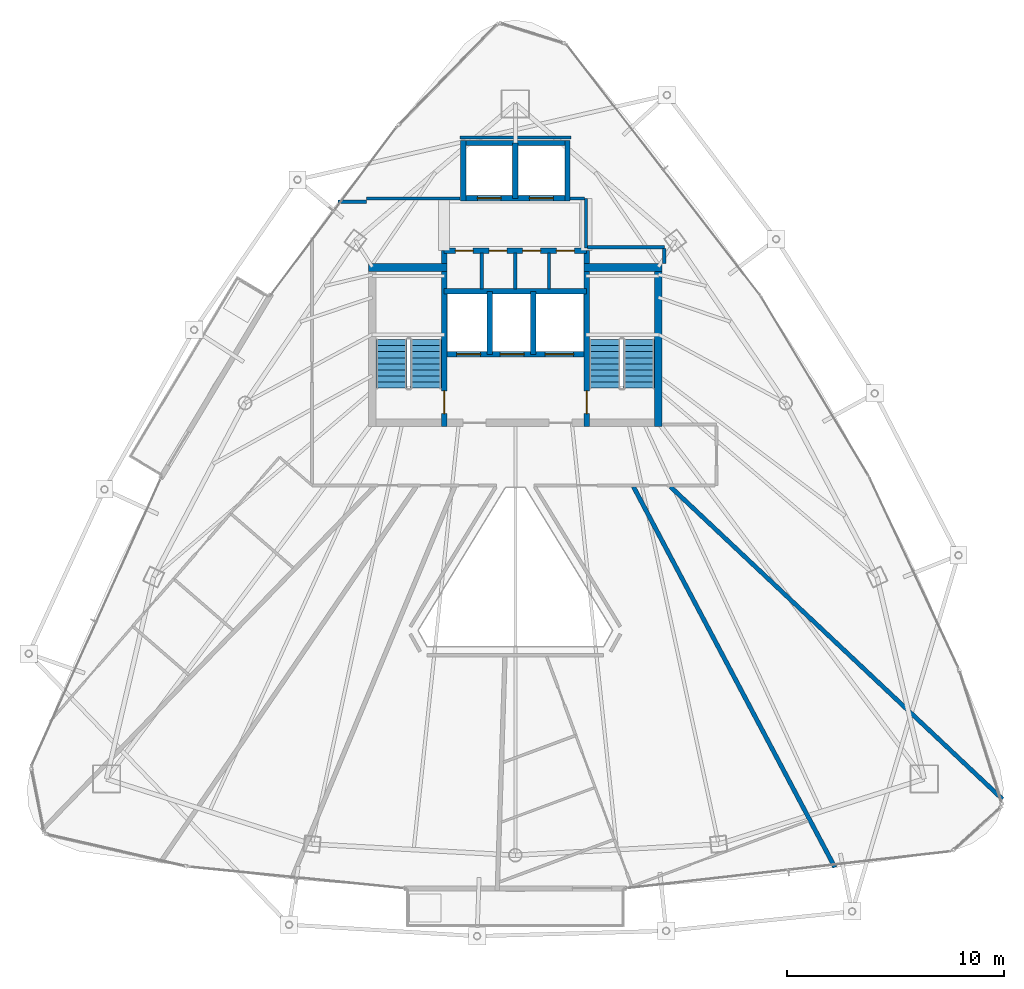
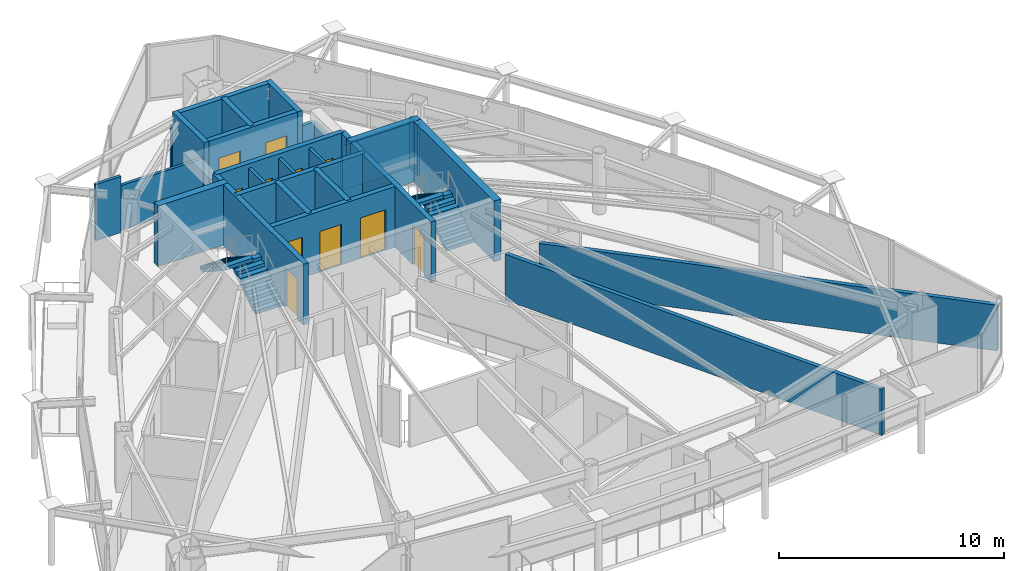
# One storey, part 27 of 29: 27 walls, 11 doors, 4 stair flights, 11 openings, 2 elements without a shape of their own.
"""IFC4 building model written with IfcOpenShell, lengths in metres."""

from ifc_helpers import new_model, si_unit, direction, frame, frame_2d, origin, place, context, subcontext, project, spatial, polyline, rectangle, outline, extrude, material, layer, layer_set, type_object, element, fill, aggregate, save


model = new_model("IFC4")

# Units and contexts
model_context = context("Model", 3, precision=1e-05, world=origin(), true_north=direction((0.0, 1.0)))
body_context = subcontext(model_context, "Body", "Model", "MODEL_VIEW")
ifc_project = project(units=[si_unit("LENGTHUNIT", "METRE"), si_unit("AREAUNIT", "SQUARE_METRE"), si_unit("VOLUMEUNIT", "CUBIC_METRE"), si_unit("PLANEANGLEUNIT", "RADIAN"), si_unit("MASSUNIT", "GRAM", prefix="KILO")], contexts=[model_context])

# Site, building, storey
site_placement = place(None, origin())
site = spatial("IfcSite", under=ifc_project, at=site_placement, CompositionType="ELEMENT")
building_placement = place(site_placement, origin())
building = spatial("IfcBuilding", under=site, at=building_placement, Name="Orvanel Arch Residences", CompositionType="ELEMENT")
storey_placement = place(building_placement, frame((0.0, 0.0, 246.949951171875)))
storey = spatial("IfcBuildingStorey", under=building, at=storey_placement, Name="L70", CompositionType="ELEMENT", Elevation=246.949951171875)

# Wall, opening, door
ifc_material_1 = material(Name="Concrete N50 (50 MPa)", Category="concrete")
ifc_layer_1 = layer(ifc_material_1, 0.25)
ifc_layer_set_1 = layer_set([ifc_layer_1], Name="Concrete N50 (50 MPa)")
wall_type_1 = type_object("IfcWallType", Name="SW-CORE-250", PredefinedType="SHEAR", material=ifc_layer_set_1)
wall_1_placement = place(storey_placement, frame((29.72509765625, 26.550048828125, 0.0), z_axis=(0.0, 0.0, 1.0), x_axis=(0.0, 1.0, 0.0)))
wall_1 = element("IfcWall", 1, at=wall_1_placement, inside=storey, type_object=wall_type_1, Name="L70 West Inner Core Spine Shear Wall", PredefinedType="SHEAR", context=body_context, shape_type="SweptSolid", body=[
    extrude(rectangle(XDim=8.099853515625, YDim=0.25, at=frame_2d((4.0498046875, 0.0))), origin(), (0.0, 0.0, 1.0), 3.300048828125),
])
opening_1_placement = place(wall_1_placement, frame((0.60009765625, 0.0, 0.0)))
opening_1 = element("IfcOpeningElement", 2, at=opening_1_placement, cuts=wall_1, Name="Opening DF-120", PredefinedType="OPENING", context=body_context, shape_type="SweptSolid", body=[
    extrude(rectangle(XDim=1.050048828125, YDim=2.14990234375, at=frame_2d((0.52490234375, 1.074951171875))), frame((0.0, 0.135009765625, 0.0), z_axis=(0.0, -1.0, 0.0), x_axis=(1.0, 0.0, 0.0)), (0.0, 0.0, 1.0), 0.27001953125),
])
ifc_material_2 = material(Name="Galvanised steel fire-resisting door assembly", Category="steel")
door_type_1 = type_object("IfcDoorType", Name="DR-FD120-1050", OperationType="NOTDEFINED", PredefinedType="DOOR", material=ifc_material_2)
door_1_placement = place(opening_1_placement, origin())
door_1 = element("IfcDoor", 3, at=door_1_placement, inside=storey, type_object=door_type_1, Name="DR-L70-ST1 L70 Stair 1 Fire Door", OperationType="SINGLE_SWING_LEFT", OverallHeight=2.14990234375, OverallWidth=1.050048828125, PredefinedType="DOOR", context=body_context, shape_type="SweptSolid", body=[
    extrude(rectangle(XDim=1.050048828125, YDim=2.14990234375, at=frame_2d((0.52490234375, 1.074951171875))), frame((0.0, 0.02490234375, 0.0), z_axis=(0.0, -1.0, 0.0), x_axis=(1.0, 0.0, 0.0)), (0.0, 0.0, 1.0), 0.050048828125),
])
fill(opening_1, door_1)

wall_2_placement = place(storey_placement, frame((36.27490234375, 26.550048828125, 0.0), z_axis=(0.0, 0.0, 1.0), x_axis=(0.0, 1.0, 0.0)))
wall_2 = element("IfcWall", 4, at=wall_2_placement, inside=storey, type_object=wall_type_1, Name="L70 East Inner Core Spine Shear Wall", PredefinedType="SHEAR", context=body_context, shape_type="SweptSolid", body=[
    extrude(rectangle(XDim=8.099853515625, YDim=0.25, at=frame_2d((4.0498046875, 0.0))), origin(), (0.0, 0.0, 1.0), 3.300048828125),
])
opening_2_placement = place(wall_2_placement, frame((0.60009765625, 0.0, 0.0)))
opening_2 = element("IfcOpeningElement", 5, at=opening_2_placement, cuts=wall_2, Name="Opening DF-120", PredefinedType="OPENING", context=body_context, shape_type="SweptSolid", body=[
    extrude(rectangle(XDim=1.050048828125, YDim=2.14990234375, at=frame_2d((0.52490234375, 1.074951171875))), frame((0.0, 0.135009765625, 0.0), z_axis=(0.0, -1.0, 0.0), x_axis=(1.0, 0.0, 0.0)), (0.0, 0.0, 1.0), 0.27001953125),
])
door_2_placement = place(opening_2_placement, origin())
door_2 = element("IfcDoor", 6, at=door_2_placement, inside=storey, type_object=door_type_1, Name="DR-L70-ST2 L70 Stair 2 Fire Door", OperationType="SINGLE_SWING_RIGHT", OverallHeight=2.14990234375, OverallWidth=1.050048828125, PredefinedType="DOOR", context=body_context, shape_type="SweptSolid", body=[
    extrude(rectangle(XDim=1.050048828125, YDim=2.14990234375, at=frame_2d((0.52490234375, 1.074951171875))), frame((0.0, 0.02490234375, 0.0), z_axis=(0.0, -1.0, 0.0), x_axis=(1.0, 0.0, 0.0)), (0.0, 0.0, 1.0), 0.050048828125),
])
fill(opening_2, door_2)

# Wall, openings, doors
wall_3_placement = place(storey_placement, frame((36.27490234375, 29.875, 0.0), z_axis=(0.0, 0.0, 1.0), x_axis=(-1.0, 0.0, 0.0)))
wall_3 = element("IfcWall", 7, at=wall_3_placement, inside=storey, type_object=wall_type_1, Name="L70 Emergency Lift Front Core Shear Wall", PredefinedType="SHEAR", context=body_context, shape_type="SweptSolid", body=[
    extrude(rectangle(XDim=6.5498046875, YDim=0.25, at=frame_2d((3.27490234375, 0.0))), origin(), (0.0, 0.0, 1.0), 3.300048828125),
])
opening_3_placement = place(wall_3_placement, frame((4.875, 0.0, 0.0)))
opening_3 = element("IfcOpeningElement", 8, at=opening_3_placement, cuts=wall_3, Name="Opening LD-110", PredefinedType="OPENING", context=body_context, shape_type="SweptSolid", body=[
    extrude(rectangle(XDim=1.10009765625, YDim=2.199951171875, at=frame_2d((0.550048828125, 1.10009765625))), frame((0.0, 0.135009765625, 0.0), z_axis=(0.0, -1.0, 0.0), x_axis=(1.0, 0.0, 0.0)), (0.0, 0.0, 1.0), 0.27001953125),
])
opening_4_placement = place(wall_3_placement, frame((2.875, 0.0, 0.0)))
opening_4 = element("IfcOpeningElement", 9, at=opening_4_placement, cuts=wall_3, Name="Opening LD-110", PredefinedType="OPENING", context=body_context, shape_type="SweptSolid", body=[
    extrude(rectangle(XDim=1.10009765625, YDim=2.199951171875, at=frame_2d((0.550048828125, 1.10009765625))), frame((0.0, 0.135009765625, 0.0), z_axis=(0.0, -1.0, 0.0), x_axis=(1.0, 0.0, 0.0)), (0.0, 0.0, 1.0), 0.27001953125),
])
opening_5_placement = place(wall_3_placement, frame((0.60009765625, 0.0, 0.0)))
opening_5 = element("IfcOpeningElement", 10, at=opening_5_placement, cuts=wall_3, Name="Opening LD-130", PredefinedType="OPENING", context=body_context, shape_type="SweptSolid", body=[
    extrude(rectangle(XDim=1.300048828125, YDim=2.199951171875, at=frame_2d((0.64990234375, 1.10009765625))), frame((0.0, 0.135009765625, 0.0), z_axis=(0.0, -1.0, 0.0), x_axis=(1.0, 0.0, 0.0)), (0.0, 0.0, 1.0), 0.27001953125),
])
door_type_2 = type_object("IfcDoorType", Name="DR-LFT-1100", OperationType="NOTDEFINED", PredefinedType="DOOR", material=ifc_material_2)
door_3_placement = place(opening_3_placement, origin())
door_3 = element("IfcDoor", 11, at=door_3_placement, inside=storey, type_object=door_type_2, Name="LD-F1-L70 L70 Lift F1 Sliding Landing Door", OperationType="DOUBLE_DOOR_SLIDING", OverallHeight=2.199951171875, OverallWidth=1.10009765625, PredefinedType="DOOR", context=body_context, shape_type="SweptSolid", body=[
    extrude(rectangle(XDim=1.10009765625, YDim=2.199951171875, at=frame_2d((0.550048828125, 1.10009765625))), frame((0.0, 0.02490234375, 0.0), z_axis=(0.0, -1.0, 0.0), x_axis=(1.0, 0.0, 0.0)), (0.0, 0.0, 1.0), 0.050048828125),
])
fill(opening_3, door_3)
door_4_placement = place(opening_4_placement, origin())
door_4 = element("IfcDoor", 12, at=door_4_placement, inside=storey, type_object=door_type_2, Name="LD-F2-L70 L70 Lift F2 Sliding Landing Door", OperationType="DOUBLE_DOOR_SLIDING", OverallHeight=2.199951171875, OverallWidth=1.10009765625, PredefinedType="DOOR", context=body_context, shape_type="SweptSolid", body=[
    extrude(rectangle(XDim=1.10009765625, YDim=2.199951171875, at=frame_2d((0.550048828125, 1.10009765625))), frame((0.0, 0.02490234375, 0.0), z_axis=(0.0, -1.0, 0.0), x_axis=(1.0, 0.0, 0.0)), (0.0, 0.0, 1.0), 0.050048828125),
])
fill(opening_4, door_4)
door_type_3 = type_object("IfcDoorType", Name="DR-LFT-1300", OperationType="NOTDEFINED", PredefinedType="DOOR", material=ifc_material_2)
door_5_placement = place(opening_5_placement, origin())
door_5 = element("IfcDoor", 13, at=door_5_placement, inside=storey, type_object=door_type_3, Name="LD-G1-L70 L70 Lift G1 Sliding Landing Door", OperationType="DOUBLE_DOOR_SLIDING", OverallHeight=2.199951171875, OverallWidth=1.300048828125, PredefinedType="DOOR", context=body_context, shape_type="SweptSolid", body=[
    extrude(rectangle(XDim=1.300048828125, YDim=2.199951171875, at=frame_2d((0.64990234375, 1.10009765625))), frame((0.0, 0.02490234375, 0.0), z_axis=(0.0, -1.0, 0.0), x_axis=(1.0, 0.0, 0.0)), (0.0, 0.0, 1.0), 0.050048828125),
])
fill(opening_5, door_5)

# Walls
wall_4_placement = place(storey_placement, frame((29.72509765625, 32.77490234375, 0.0), z_axis=(0.0, 0.0, 1.0), x_axis=(1.0, 0.0, 0.0)))
element("IfcWall", 14, at=wall_4_placement, inside=storey, type_object=wall_type_1, Name="L70 Emergency Lift Back Core Shear Wall", PredefinedType="SHEAR", context=body_context, shape_type="SweptSolid", body=[
    extrude(rectangle(XDim=6.5498046875, YDim=0.25, at=frame_2d((3.27490234375, 0.0))), origin(), (0.0, 0.0, 1.0), 3.300048828125),
])
for number, where, z_axis, x_axis, name in (
    (15, (31.824951171875, 29.875, 0.0), (0.0, 0.0, 1.0), (0.0, 1.0, 0.0), "L70 Emergency Lift Inter-Shaft Wall F12"),
    (16, (33.824951171875, 29.875, 0.0), (0.0, 0.0, 1.0), (0.0, 1.0, 0.0), "L70 Emergency Lift Inter-Shaft Wall F2G"),
):
    element("IfcWall", number, at=place(storey_placement, frame(where, z_axis=z_axis, x_axis=x_axis)), inside=storey, type_object=wall_type_1, Name=name, PredefinedType="SHEAR", context=body_context, shape_type="SweptSolid", body=[
        extrude(rectangle(XDim=2.89990234375, YDim=0.25, at=frame_2d((1.449951171875, 0.0))), origin(), (0.0, 0.0, 1.0), 3.300048828125),
    ])

# Wall, openings, doors
wall_5_placement = place(storey_placement, frame((29.72509765625, 34.64990234375, 0.0), z_axis=(0.0, 0.0, 1.0), x_axis=(1.0, 0.0, 0.0)))
wall_5 = element("IfcWall", 17, at=wall_5_placement, inside=storey, type_object=wall_type_1, Name="L70 Core Service Band North Shear Wall", PredefinedType="SHEAR", context=body_context, shape_type="SweptSolid", body=[
    extrude(rectangle(XDim=6.5498046875, YDim=0.25, at=frame_2d((3.27490234375, 0.0))), origin(), (0.0, 0.0, 1.0), 3.300048828125),
])
opening_6_placement = place(wall_5_placement, frame((0.514892578125, 0.0, 0.0)))
opening_6 = element("IfcOpeningElement", 18, at=opening_6_placement, cuts=wall_5, Name="Opening DS-082", PredefinedType="OPENING", context=body_context, shape_type="SweptSolid", body=[
    extrude(rectangle(XDim=0.820068359375, YDim=2.10009765625, at=frame_2d((0.41015625, 1.050048828125))), frame((0.0, 0.135009765625, 0.0), z_axis=(0.0, -1.0, 0.0), x_axis=(1.0, 0.0, 0.0)), (0.0, 0.0, 1.0), 0.27001953125),
])
opening_7_placement = place(wall_5_placement, frame((2.06494140625, 0.0, 0.0)))
opening_7 = element("IfcOpeningElement", 19, at=opening_7_placement, cuts=wall_5, Name="Opening DS-082", PredefinedType="OPENING", context=body_context, shape_type="SweptSolid", body=[
    extrude(rectangle(XDim=0.820068359375, YDim=2.10009765625, at=frame_2d((0.41015625, 1.050048828125))), frame((0.0, 0.135009765625, 0.0), z_axis=(0.0, -1.0, 0.0), x_axis=(1.0, 0.0, 0.0)), (0.0, 0.0, 1.0), 0.27001953125),
])
opening_8_placement = place(wall_5_placement, frame((3.614990234375, 0.0, 0.0)))
opening_8 = element("IfcOpeningElement", 20, at=opening_8_placement, cuts=wall_5, Name="Opening DS-082", PredefinedType="OPENING", context=body_context, shape_type="SweptSolid", body=[
    extrude(rectangle(XDim=0.820068359375, YDim=2.10009765625, at=frame_2d((0.41015625, 1.050048828125))), frame((0.0, 0.135009765625, 0.0), z_axis=(0.0, -1.0, 0.0), x_axis=(1.0, 0.0, 0.0)), (0.0, 0.0, 1.0), 0.27001953125),
])
opening_9_placement = place(wall_5_placement, frame((5.1650390625, 0.0, 0.0)))
opening_9 = element("IfcOpeningElement", 21, at=opening_9_placement, cuts=wall_5, Name="Opening DS-082", PredefinedType="OPENING", context=body_context, shape_type="SweptSolid", body=[
    extrude(rectangle(XDim=0.820068359375, YDim=2.10009765625, at=frame_2d((0.41015625, 1.050048828125))), frame((0.0, 0.135009765625, 0.0), z_axis=(0.0, -1.0, 0.0), x_axis=(1.0, 0.0, 0.0)), (0.0, 0.0, 1.0), 0.27001953125),
])
door_type_4 = type_object("IfcDoorType", Name="DR-SVC-820", OperationType="NOTDEFINED", PredefinedType="DOOR", material=ifc_material_2)
door_6_placement = place(opening_6_placement, origin())
door_6 = element("IfcDoor", 22, at=door_6_placement, inside=storey, type_object=door_type_4, Name="DR-L70-CSVC-1 L70 Linen Store Door", OperationType="SINGLE_SWING_LEFT", OverallHeight=2.10009765625, OverallWidth=0.820068359375, PredefinedType="DOOR", context=body_context, shape_type="SweptSolid", body=[
    extrude(rectangle(XDim=0.820068359375, YDim=2.10009765625, at=frame_2d((0.41015625, 1.050048828125))), frame((0.0, 0.02490234375, 0.0), z_axis=(0.0, -1.0, 0.0), x_axis=(1.0, 0.0, 0.0)), (0.0, 0.0, 1.0), 0.050048828125),
])
fill(opening_6, door_6)
door_7_placement = place(opening_7_placement, origin())
door_7 = element("IfcDoor", 23, at=door_7_placement, inside=storey, type_object=door_type_4, Name="DR-L70-CSVC-2 L70 Cleaner's Store Door", OperationType="SINGLE_SWING_LEFT", OverallHeight=2.10009765625, OverallWidth=0.820068359375, PredefinedType="DOOR", context=body_context, shape_type="SweptSolid", body=[
    extrude(rectangle(XDim=0.820068359375, YDim=2.10009765625, at=frame_2d((0.41015625, 1.050048828125))), frame((0.0, 0.02490234375, 0.0), z_axis=(0.0, -1.0, 0.0), x_axis=(1.0, 0.0, 0.0)), (0.0, 0.0, 1.0), 0.050048828125),
])
fill(opening_7, door_7)
door_8_placement = place(opening_8_placement, origin())
door_8 = element("IfcDoor", 24, at=door_8_placement, inside=storey, type_object=door_type_4, Name="DR-L70-CSVC-3 L70 Electrical Meter Store Door", OperationType="SINGLE_SWING_LEFT", OverallHeight=2.10009765625, OverallWidth=0.820068359375, PredefinedType="DOOR", context=body_context, shape_type="SweptSolid", body=[
    extrude(rectangle(XDim=0.820068359375, YDim=2.10009765625, at=frame_2d((0.41015625, 1.050048828125))), frame((0.0, 0.02490234375, 0.0), z_axis=(0.0, -1.0, 0.0), x_axis=(1.0, 0.0, 0.0)), (0.0, 0.0, 1.0), 0.050048828125),
])
fill(opening_8, door_8)
door_9_placement = place(opening_9_placement, origin())
door_9 = element("IfcDoor", 25, at=door_9_placement, inside=storey, type_object=door_type_4, Name="DR-L70-CSVC-4 L70 Housekeeping Supply Store Door", OperationType="SINGLE_SWING_LEFT", OverallHeight=2.10009765625, OverallWidth=0.820068359375, PredefinedType="DOOR", context=body_context, shape_type="SweptSolid", body=[
    extrude(rectangle(XDim=0.820068359375, YDim=2.10009765625, at=frame_2d((0.41015625, 1.050048828125))), frame((0.0, 0.02490234375, 0.0), z_axis=(0.0, -1.0, 0.0), x_axis=(1.0, 0.0, 0.0)), (0.0, 0.0, 1.0), 0.050048828125),
])
fill(opening_9, door_9)

wall_6_placement = place(storey_placement, frame((35.52490234375, 37.050048828125, 0.0), z_axis=(0.0, 0.0, 1.0), x_axis=(-1.0, 0.0, 0.0)))
wall_6 = element("IfcWall", 26, at=wall_6_placement, inside=storey, type_object=wall_type_1, Name="L70 Passenger Lift Bank Front Shear Wall", PredefinedType="SHEAR", context=body_context, shape_type="SweptSolid", body=[
    extrude(rectangle(XDim=5.0498046875, YDim=0.25, at=frame_2d((2.52490234375, 0.0))), origin(), (0.0, 0.0, 1.0), 3.300048828125),
])
opening_10_placement = place(wall_6_placement, frame((3.175048828125, 0.0, 0.0)))
opening_10 = element("IfcOpeningElement", 27, at=opening_10_placement, cuts=wall_6, Name="Opening LD-110", PredefinedType="OPENING", context=body_context, shape_type="SweptSolid", body=[
    extrude(rectangle(XDim=1.10009765625, YDim=2.199951171875, at=frame_2d((0.550048828125, 1.10009765625))), frame((0.0, 0.135009765625, 0.0), z_axis=(0.0, -1.0, 0.0), x_axis=(1.0, 0.0, 0.0)), (0.0, 0.0, 1.0), 0.27001953125),
])
opening_11_placement = place(wall_6_placement, frame((0.77490234375, 0.0, 0.0)))
opening_11 = element("IfcOpeningElement", 28, at=opening_11_placement, cuts=wall_6, Name="Opening LD-110", PredefinedType="OPENING", context=body_context, shape_type="SweptSolid", body=[
    extrude(rectangle(XDim=1.10009765625, YDim=2.199951171875, at=frame_2d((0.550048828125, 1.10009765625))), frame((0.0, 0.135009765625, 0.0), z_axis=(0.0, -1.0, 0.0), x_axis=(1.0, 0.0, 0.0)), (0.0, 0.0, 1.0), 0.27001953125),
])
door_10_placement = place(opening_10_placement, origin())
door_10 = element("IfcDoor", 29, at=door_10_placement, inside=storey, type_object=door_type_2, Name="LD-P5-L70 L70 Passenger Lift P5 Sliding Landing Door", OperationType="DOUBLE_DOOR_SLIDING", OverallHeight=2.199951171875, OverallWidth=1.10009765625, PredefinedType="DOOR", context=body_context, shape_type="SweptSolid", body=[
    extrude(rectangle(XDim=1.10009765625, YDim=2.199951171875, at=frame_2d((0.550048828125, 1.10009765625))), frame((0.0, 0.02490234375, 0.0), z_axis=(0.0, -1.0, 0.0), x_axis=(1.0, 0.0, 0.0)), (0.0, 0.0, 1.0), 0.050048828125),
])
fill(opening_10, door_10)
door_11_placement = place(opening_11_placement, origin())
door_11 = element("IfcDoor", 30, at=door_11_placement, inside=storey, type_object=door_type_2, Name="LD-P6-L70 L70 Passenger Lift P6 Sliding Landing Door", OperationType="DOUBLE_DOOR_SLIDING", OverallHeight=2.199951171875, OverallWidth=1.10009765625, PredefinedType="DOOR", context=body_context, shape_type="SweptSolid", body=[
    extrude(rectangle(XDim=1.10009765625, YDim=2.199951171875, at=frame_2d((0.550048828125, 1.10009765625))), frame((0.0, 0.02490234375, 0.0), z_axis=(0.0, -1.0, 0.0), x_axis=(1.0, 0.0, 0.0)), (0.0, 0.0, 1.0), 0.050048828125),
])
fill(opening_11, door_11)

# Walls
wall_7_placement = place(storey_placement, frame((30.47509765625, 39.60009765625, 0.0), z_axis=(0.0, 0.0, 1.0), x_axis=(1.0, 0.0, 0.0)))
element("IfcWall", 31, at=wall_7_placement, inside=storey, type_object=wall_type_1, Name="L70 Passenger Lift Bank North Shear Wall", PredefinedType="SHEAR", context=body_context, shape_type="SweptSolid", body=[
    extrude(rectangle(XDim=5.0498046875, YDim=0.25, at=frame_2d((2.52490234375, 0.0))), origin(), (0.0, 0.0, 1.0), 3.300048828125),
])
for number, where, z_axis, x_axis, name in (
    (32, (30.60009765625, 36.925048828125, 0.0), (0.0, 0.0, 1.0), (0.0, 1.0, 0.0), "L70 Passenger Lift Bank West Shear Wall"),
    (33, (35.39990234375, 36.925048828125, 0.0), (0.0, 0.0, 1.0), (0.0, 1.0, 0.0), "L70 Passenger Lift Bank East Shear Wall"),
):
    element("IfcWall", number, at=place(storey_placement, frame(where, z_axis=z_axis, x_axis=x_axis)), inside=storey, type_object=wall_type_1, Name=name, PredefinedType="SHEAR", context=body_context, shape_type="SweptSolid", body=[
        extrude(rectangle(XDim=2.800048828125, YDim=0.25, at=frame_2d((1.39990234375, 0.0))), origin(), (0.0, 0.0, 1.0), 3.300048828125),
    ])
wall_8_placement = place(storey_placement, frame((33.0, 37.050048828125, 0.0), z_axis=(0.0, 0.0, 1.0), x_axis=(0.0, 1.0, 0.0)))
element("IfcWall", 34, at=wall_8_placement, inside=storey, type_object=wall_type_1, Name="L70 Passenger Lift Inter-Shaft Wall P56", PredefinedType="SHEAR", context=body_context, shape_type="SweptSolid", body=[
    extrude(rectangle(XDim=2.550048828125, YDim=0.25, at=frame_2d((1.27490234375, 0.0))), origin(), (0.0, 0.0, 1.0), 3.300048828125),
])
ifc_layer_2 = layer(ifc_material_1, 0.35009765625)
ifc_layer_set_2 = layer_set([ifc_layer_2], Name="Concrete N50 (50 MPa)")
wall_type_2 = type_object("IfcWallType", Name="SW-CORE-350", PredefinedType="SHEAR", material=ifc_layer_set_2)
wall_9_placement = place(storey_placement, frame((26.25, 33.875, 0.0), z_axis=(0.0, 0.0, 1.0), x_axis=(1.0, 0.0, 0.0)))
element("IfcWall", 35, at=wall_9_placement, inside=storey, type_object=wall_type_2, Name="L70 West Stair North Shear Wall", PredefinedType="SHEAR", context=body_context, shape_type="SweptSolid", body=[
    extrude(rectangle(XDim=3.60009765625, YDim=0.35009765625, at=frame_2d((1.800048828125, 0.0))), origin(), (0.0, 0.0, 1.0), 3.300048828125),
])
wall_10_placement = place(storey_placement, frame((39.574951171875, 26.550048828125, 0.0), z_axis=(0.0, 0.0, 1.0), x_axis=(0.0, 1.0, 0.0)))
element("IfcWall", 36, at=wall_10_placement, inside=storey, type_object=wall_type_2, Name="L70 East Stair Shear Wall", PredefinedType="SHEAR", context=body_context, shape_type="SweptSolid", body=[
    extrude(rectangle(XDim=7.5, YDim=0.35009765625, at=frame_2d((3.75, 0.0))), origin(), (0.0, 0.0, 1.0), 3.300048828125),
])
wall_11_placement = place(storey_placement, frame((36.14990234375, 33.875, 0.0), z_axis=(0.0, 0.0, 1.0), x_axis=(1.0, 0.0, 0.0)))
element("IfcWall", 37, at=wall_11_placement, inside=storey, type_object=wall_type_2, Name="L70 East Stair North Shear Wall", PredefinedType="SHEAR", context=body_context, shape_type="SweptSolid", body=[
    extrude(rectangle(XDim=3.60009765625, YDim=0.35009765625, at=frame_2d((1.800048828125, 0.0))), origin(), (0.0, 0.0, 1.0), 3.300048828125),
])
ifc_material_3 = material(Name="Fire-rated plasterboard lined steel stud partition", Category="steel")
ifc_layer_3 = layer(ifc_material_3, 0.14990234375)
ifc_layer_set_3 = layer_set([ifc_layer_3], Name="Fire-rated plasterboard lined steel stud partition")
wall_type_3 = type_object("IfcWallType", Name="W-COR-150", PredefinedType="PARTITIONING", material=ifc_layer_set_3)
wall_12_placement = place(storey_placement, frame((36.25, 34.760009765625, 0.0), z_axis=(0.0, 0.0, 1.0), x_axis=(0.0, 1.0, 0.0)))
element("IfcWall", 38, at=wall_12_placement, inside=storey, type_object=wall_type_3, Name="L70 Passenger Lift Lobby East Closure Wall", PredefinedType="PARTITIONING", context=body_context, shape_type="SweptSolid", body=[
    extrude(rectangle(XDim=2.2900390625, YDim=0.14990234375, at=frame_2d((1.14501953125, 0.0))), origin(), (0.0, 0.0, 1.0), 2.425048828125),
])
wall_13_placement = place(storey_placement, frame((35.52490234375, 37.050048828125, 0.0), z_axis=(0.0, 0.0, 1.0), x_axis=(1.0, 0.0, 0.0)))
element("IfcWall", 39, at=wall_13_placement, inside=storey, type_object=wall_type_3, Name="L70 Passenger Lift Lobby North-East Wall", PredefinedType="PARTITIONING", context=body_context, shape_type="SweptSolid", body=[
    extrude(rectangle(XDim=0.6650390625, YDim=0.14990234375, at=frame_2d((0.33251953125, 0.0))), origin(), (0.0, 0.0, 1.0), 2.425048828125),
])
wall_14_placement = place(storey_placement, frame((24.845947265625, 36.89990234375, 0.0), z_axis=(0.0, 0.0, 1.0), x_axis=(1.0, 0.0, 0.0)))
element("IfcWall", 40, at=wall_14_placement, inside=storey, type_object=wall_type_3, Name="L70 Corridor Fire-Rated Partition", PredefinedType="PARTITIONING", context=body_context, shape_type="SweptSolid", body=[
    extrude(rectangle(XDim=1.303955078125, YDim=0.14990234375, at=frame_2d((0.65185546875, 0.0))), origin(), (0.0, 0.0, 1.0), 3.06005859375),
])
wall_15_placement = place(storey_placement, frame((26.14990234375, 37.050048828125, 0.0), z_axis=(0.0, 0.0, 1.0), x_axis=(1.0, 0.0, 0.0)))
element("IfcWall", 41, at=wall_15_placement, inside=storey, type_object=wall_type_3, Name="L70 Core Perimeter Partition", PredefinedType="PARTITIONING", context=body_context, shape_type="SweptSolid", body=[
    extrude(rectangle(XDim=4.300048828125, YDim=0.14990234375, at=frame_2d((2.14990234375, 0.0))), origin(), (0.0, 0.0, 1.0), 2.425048828125),
])
wall_16_placement = place(storey_placement, frame((30.449951171875, 39.85009765625, 0.0), z_axis=(0.0, 0.0, 1.0), x_axis=(1.0, 0.0, 0.0)))
element("IfcWall", 42, at=wall_16_placement, inside=storey, type_object=wall_type_3, Name="L70 Core Perimeter Partition", PredefinedType="PARTITIONING", context=body_context, shape_type="SweptSolid", body=[
    extrude(rectangle(XDim=5.10009765625, YDim=0.14990234375, at=frame_2d((2.550048828125, 0.0))), origin(), (0.0, 0.0, 1.0), 2.491943359375),
])
wall_17_placement = place(storey_placement, frame((36.31005859375, 34.800048828125, 0.0), z_axis=(0.0, 0.0, 1.0), x_axis=(1.0, 0.0, 0.0)))
element("IfcWall", 43, at=wall_17_placement, inside=storey, type_object=wall_type_3, Name="L70 Core Perimeter Partition", PredefinedType="PARTITIONING", context=body_context, shape_type="SweptSolid", body=[
    extrude(rectangle(XDim=3.5400390625, YDim=0.14990234375, at=frame_2d((1.77001953125, 0.0))), origin(), (0.0, 0.0, 1.0), 2.425048828125),
])
wall_18_placement = place(storey_placement, frame((39.85009765625, 34.739990234375, 0.0), z_axis=(0.0, 0.0, 1.0), x_axis=(0.0, -1.0, 0.0)))
element("IfcWall", 44, at=wall_18_placement, inside=storey, type_object=wall_type_3, Name="L70 Core Perimeter Partition", PredefinedType="PARTITIONING", context=body_context, shape_type="SweptSolid", body=[
    extrude(rectangle(XDim=0.68994140625, YDim=0.14990234375, at=frame_2d((0.344970703125, 0.0))), origin(), (0.0, 0.0, 1.0), 2.77294921875),
])
ifc_layer_4 = layer(ifc_material_3, 0.199951171875)
ifc_layer_set_4 = layer_set([ifc_layer_4], Name="Fire-rated plasterboard lined steel stud partition")
wall_type_4 = type_object("IfcWallType", Name="W-DEM-200", PredefinedType="PARTITIONING", material=ifc_layer_set_4)
wall_19_placement = place(storey_placement, frame((55.405029296875, 9.4208984375, 0.0), z_axis=(0.0, 0.0, 1.0), x_axis=(-0.728328495468, 0.685228139155, 0.0)))
element("IfcWall", 45, at=wall_19_placement, inside=storey, type_object=wall_type_4, Name="L70 Inter-Tenancy Acoustic Demising Wall", PredefinedType="PARTITIONING", context=body_context, shape_type="SweptSolid", body=[
    extrude(rectangle(XDim=20.969970703125, YDim=0.199951171875, at=frame_2d((10.48486328125, 0.0))), origin(), (0.0, 0.0, 1.0), 2.491943359375),
])
wall_20_placement = place(storey_placement, frame((38.43310546875, 23.7900390625, 0.0), z_axis=(0.0, 0.0, 1.0), x_axis=(0.467759118023, -0.88385598799, 0.0)))
element("IfcWall", 46, at=wall_20_placement, inside=storey, type_object=wall_type_4, Name="L70 Inter-Tenancy Acoustic Demising Wall", PredefinedType="PARTITIONING", context=body_context, shape_type="SweptSolid", body=[
    extrude(rectangle(XDim=19.80078125, YDim=0.199951171875, at=frame_2d((9.900390625, 0.0))), origin(), (0.0, 0.0, 1.0), 2.491943359375),
])
ifc_layer_5 = layer(ifc_material_3, 0.14990234375)
ifc_layer_set_5 = layer_set([ifc_layer_5], Name="Fire-rated plasterboard lined steel stud partition")
wall_type_5 = type_object("IfcWallType", Name="W-ST-150", PredefinedType="PARTITIONING", material=ifc_layer_set_5)
for number, where, z_axis, x_axis, name in (
    (47, (31.449951171875, 32.885009765625, 0.0), (0.0, 0.0, 1.0), (0.0, 1.0, 0.0), "L70 Core Service Partition 1"),
    (48, (33.0, 32.885009765625, 0.0), (0.0, 0.0, 1.0), (0.0, 1.0, 0.0), "L70 Core Service Partition 2"),
    (49, (34.550048828125, 32.885009765625, 0.0), (0.0, 0.0, 1.0), (0.0, 1.0, 0.0), "L70 Core Service Partition 3"),
):
    element("IfcWall", number, at=place(storey_placement, frame(where, z_axis=z_axis, x_axis=x_axis)), inside=storey, type_object=wall_type_5, Name=name, PredefinedType="PARTITIONING", context=body_context, shape_type="SweptSolid", body=[
        extrude(rectangle(XDim=1.655029296875, YDim=0.14990234375, at=frame_2d((0.82763671875, 0.0))), origin(), (0.0, 0.0, 1.0), 3.06005859375),
    ])

# Stair, stair flights
ifc_material_4 = material(Name="Precast concrete N50 (50 MPa)", Category="concrete")
stair_type = type_object("IfcStairType", Name="STR-DOG-184", PredefinedType="USERDEFINED", material=ifc_material_4)
stair_1_placement = place(storey_placement, origin())
stair_1 = element("IfcStair", 50, at=stair_1_placement, inside=storey, type_object=stair_type, Name="L70 Fire-Isolated Core Exit Stair 1", ObjectType="TWO_RETURN_STAIR", PredefinedType="USERDEFINED")
stair_flight_type_1 = type_object("IfcStairFlightType", Name="SFL-C1-184", PredefinedType="STRAIGHT", material=ifc_material_4)
stair_flight_1_placement = place(storey_placement, frame((28.889892578125, 28.320068359375, 0.0), z_axis=(0.0, 0.0, 1.0), x_axis=(0.0, 1.0, 0.0)))
stair_flight_1 = element("IfcStairFlight", 51, at=stair_flight_1_placement, type_object=stair_flight_type_1, Name="ST-1 flight 1", NumberOfRisers=9, NumberOfTreads=8, PredefinedType="STRAIGHT", RiserHeight=0.183333333, TreadLength=0.28, context=body_context, shape_type="SweptSolid", body=[
    extrude(outline(polyline([(0.0, 0.0), (0.0, 0.183349609375), (0.280029296875, 0.183349609375), (0.280029296875, 0.36669921875), (0.56005859375, 0.36669921875), (0.56005859375, 0.550048828125), (0.840087890625, 0.550048828125), (0.840087890625, 0.7333984375), (1.1201171875, 0.7333984375), (1.1201171875, 0.916748046875), (1.39990234375, 0.916748046875), (1.39990234375, 1.10009765625), (1.679931640625, 1.10009765625), (1.679931640625, 1.283447265625), (1.9599609375, 1.283447265625), (1.9599609375, 1.466552734375), (2.239990234375, 1.466552734375), (2.239990234375, 1.64990234375), (2.239990234375, 1.28759765625), (0.273681640625, 0.0), (0.0, 0.0)])), frame((0.0, 0.7099609375, 0.0), z_axis=(0.0, -1.0, 0.0), x_axis=(1.0, 0.0, 0.0)), (0.0, 0.0, 1.0), 1.419921875),
])
stair_flight_2_placement = place(storey_placement, frame((27.31005859375, 30.56005859375, 1.650146484375), z_axis=(0.0, 0.0, 1.0), x_axis=(0.0, -1.0, 0.0)))
stair_flight_2 = element("IfcStairFlight", 52, at=stair_flight_2_placement, type_object=stair_flight_type_1, Name="ST-1 flight 2", NumberOfRisers=9, NumberOfTreads=8, PredefinedType="STRAIGHT", RiserHeight=0.183333333, TreadLength=0.28, context=body_context, shape_type="SweptSolid", body=[
    extrude(outline(polyline([(0.0, 0.0), (0.0, 0.183349609375), (0.280029296875, 0.183349609375), (0.280029296875, 0.36669921875), (0.56005859375, 0.36669921875), (0.56005859375, 0.550048828125), (0.840087890625, 0.550048828125), (0.840087890625, 0.7333984375), (1.1201171875, 0.7333984375), (1.1201171875, 0.916748046875), (1.39990234375, 0.916748046875), (1.39990234375, 1.10009765625), (1.679931640625, 1.10009765625), (1.679931640625, 1.283447265625), (1.9599609375, 1.283447265625), (1.9599609375, 1.466552734375), (2.239990234375, 1.466552734375), (2.239990234375, 1.64990234375), (2.239990234375, 1.28759765625), (0.273681640625, 0.0), (0.0, 0.0)])), frame((0.0, 0.7099609375, 0.0), z_axis=(0.0, -1.0, 0.0), x_axis=(1.0, 0.0, 0.0)), (0.0, 0.0, 1.0), 1.419921875),
])
aggregate(stair_1, [stair_flight_1, stair_flight_2])

stair_2_placement = place(storey_placement, origin())
stair_2 = element("IfcStair", 53, at=stair_2_placement, inside=storey, type_object=stair_type, Name="L70 Fire-Isolated Core Exit Stair 2", ObjectType="TWO_RETURN_STAIR", PredefinedType="USERDEFINED")
stair_flight_type_2 = type_object("IfcStairFlightType", Name="SFL-C2-184", PredefinedType="STRAIGHT", material=ifc_material_4)
stair_flight_3_placement = place(storey_placement, frame((38.68994140625, 28.320068359375, 0.0), z_axis=(0.0, 0.0, 1.0), x_axis=(0.0, 1.0, 0.0)))
stair_flight_3 = element("IfcStairFlight", 54, at=stair_flight_3_placement, type_object=stair_flight_type_2, Name="ST-2 flight 1", NumberOfRisers=9, NumberOfTreads=8, PredefinedType="STRAIGHT", RiserHeight=0.183333333, TreadLength=0.28, context=body_context, shape_type="SweptSolid", body=[
    extrude(outline(polyline([(0.0, 0.0), (0.0, 0.183349609375), (0.280029296875, 0.183349609375), (0.280029296875, 0.36669921875), (0.56005859375, 0.36669921875), (0.56005859375, 0.550048828125), (0.840087890625, 0.550048828125), (0.840087890625, 0.7333984375), (1.1201171875, 0.7333984375), (1.1201171875, 0.916748046875), (1.39990234375, 0.916748046875), (1.39990234375, 1.10009765625), (1.679931640625, 1.10009765625), (1.679931640625, 1.283447265625), (1.9599609375, 1.283447265625), (1.9599609375, 1.466552734375), (2.239990234375, 1.466552734375), (2.239990234375, 1.64990234375), (2.239990234375, 1.28759765625), (0.273681640625, 0.0), (0.0, 0.0)])), frame((0.0, 0.7099609375, 0.0), z_axis=(0.0, -1.0, 0.0), x_axis=(1.0, 0.0, 0.0)), (0.0, 0.0, 1.0), 1.419921875),
])
stair_flight_4_placement = place(storey_placement, frame((37.110107421875, 30.56005859375, 1.650146484375), z_axis=(0.0, 0.0, 1.0), x_axis=(0.0, -1.0, 0.0)))
stair_flight_4 = element("IfcStairFlight", 55, at=stair_flight_4_placement, type_object=stair_flight_type_2, Name="ST-2 flight 2", NumberOfRisers=9, NumberOfTreads=8, PredefinedType="STRAIGHT", RiserHeight=0.183333333, TreadLength=0.28, context=body_context, shape_type="SweptSolid", body=[
    extrude(outline(polyline([(0.0, 0.0), (0.0, 0.183349609375), (0.280029296875, 0.183349609375), (0.280029296875, 0.36669921875), (0.56005859375, 0.36669921875), (0.56005859375, 0.550048828125), (0.840087890625, 0.550048828125), (0.840087890625, 0.7333984375), (1.1201171875, 0.7333984375), (1.1201171875, 0.916748046875), (1.39990234375, 0.916748046875), (1.39990234375, 1.10009765625), (1.679931640625, 1.10009765625), (1.679931640625, 1.283447265625), (1.9599609375, 1.283447265625), (1.9599609375, 1.466552734375), (2.239990234375, 1.466552734375), (2.239990234375, 1.64990234375), (2.239990234375, 1.28759765625), (0.273681640625, 0.0), (0.0, 0.0)])), frame((0.0, 0.7099609375, 0.0), z_axis=(0.0, -1.0, 0.0), x_axis=(1.0, 0.0, 0.0)), (0.0, 0.0, 1.0), 1.419921875),
])
aggregate(stair_2, [stair_flight_3, stair_flight_4])

save(model, "model.ifc")
